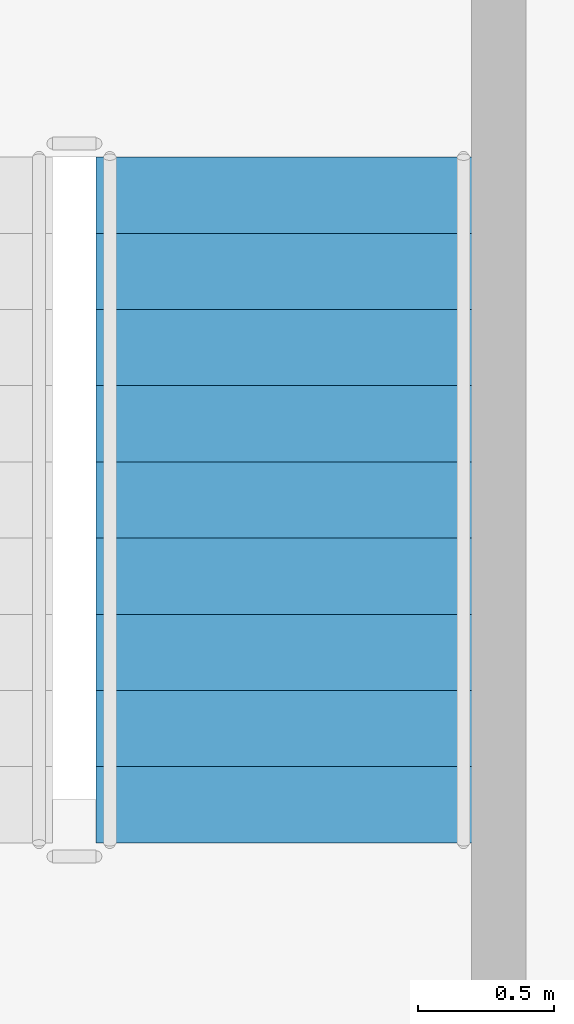
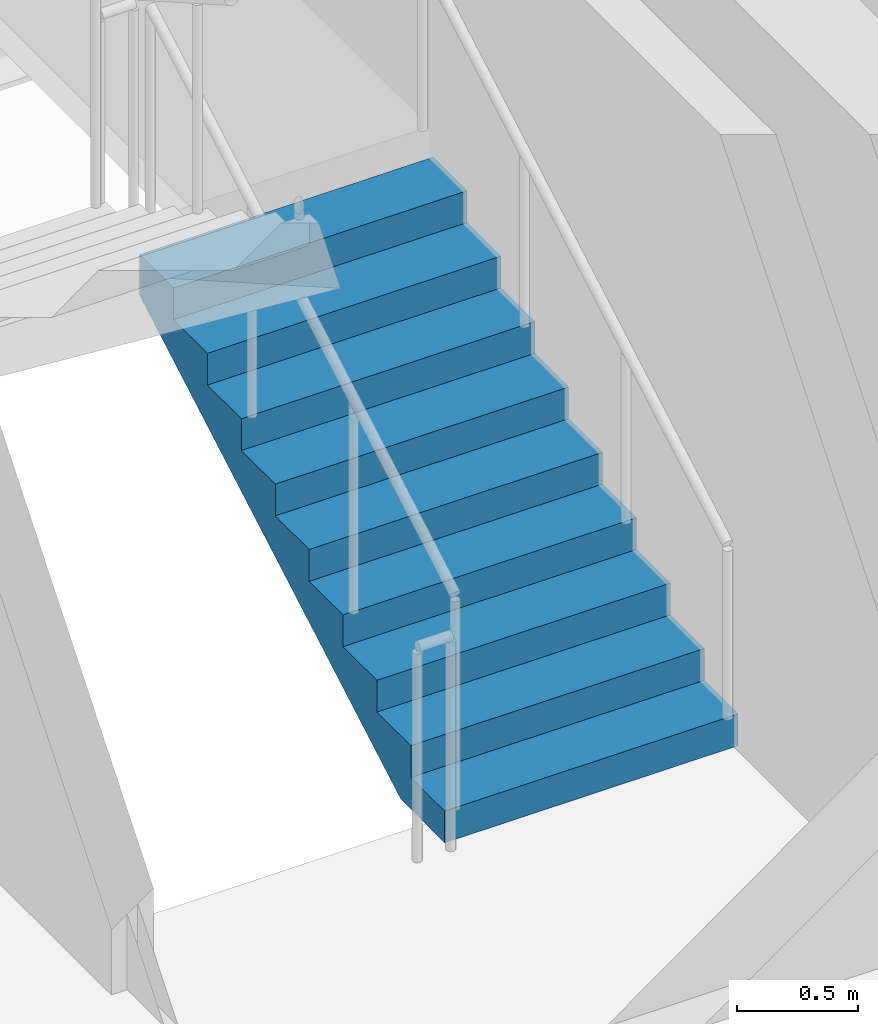
# One storey, part 4 of 6: 1 stair flight, 1 element without a shape of its own.
"""IFC4 building model written with IfcOpenShell, lengths in metres."""

from ifc_helpers import new_model, si_unit, direction, frame, origin, place, context, subcontext, project, spatial, polyline, outline, extrude, material, type_object, element, aggregate, save


model = new_model("IFC4")

# Units and contexts
model_context = context("Model", 3, precision=1e-05, world=origin(), true_north=direction((0.0, 1.0)))
body_context = subcontext(model_context, "Body", "Model", "MODEL_VIEW")
ifc_project = project(units=[si_unit("LENGTHUNIT", "METRE"), si_unit("AREAUNIT", "SQUARE_METRE"), si_unit("VOLUMEUNIT", "CUBIC_METRE"), si_unit("PLANEANGLEUNIT", "RADIAN"), si_unit("MASSUNIT", "GRAM", prefix="KILO")], contexts=[model_context])

# Site, building, storey
site_placement = place(None, origin())
site = spatial("IfcSite", under=ifc_project, at=site_placement, CompositionType="ELEMENT")
building_placement = place(site_placement, origin())
building = spatial("IfcBuilding", under=site, at=building_placement, Name="Kuzgunbayir Cultural Tower", CompositionType="ELEMENT")
storey_placement = place(building_placement, frame((0.0, 0.0, 218.39990234375)))
storey = spatial("IfcBuildingStorey", under=building, at=storey_placement, Name="L64", CompositionType="ELEMENT", Elevation=218.39990234375)

# Stair, stair flight
ifc_material = material(Name="Concrete C40/50", Category="concrete")
stair_type = type_object("IfcStairType", Name="STR-EXIT-CORE", PredefinedType="HALF_TURN_STAIR", material=ifc_material)
stair_placement = place(storey_placement, origin())
stair = element("IfcStair", 1, at=stair_placement, inside=storey, type_object=stair_type, Name="L64 ST-2", PredefinedType="HALF_TURN_STAIR")
stair_flight_type = type_object("IfcStairFlightType", Name="STRF-RC-140", PredefinedType="STRAIGHT", material=ifc_material)
stair_flight_placement = place(storey_placement, frame((25.4599609375, 35.60009765625, 0.0), z_axis=(0.0, 0.0, 1.0), x_axis=(0.0, 1.0, 0.0)))
stair_flight = element("IfcStairFlight", 2, at=stair_flight_placement, type_object=stair_flight_type, Name="ST-2 flight 1", NumberOfRisers=10, NumberOfTreads=9, PredefinedType="STRAIGHT", RiserHeight=0.16, TreadLength=0.28, context=body_context, shape_type="SweptSolid", body=[
    extrude(outline(polyline([(0.0, 0.0), (0.0, 0.159912109375), (0.280029296875, 0.159912109375), (0.280029296875, 0.320068359375), (0.56005859375, 0.320068359375), (0.56005859375, 0.47998046875), (0.840087890625, 0.47998046875), (0.840087890625, 0.639892578125), (1.1201171875, 0.639892578125), (1.1201171875, 0.800048828125), (1.39990234375, 0.800048828125), (1.39990234375, 0.9599609375), (1.679931640625, 0.9599609375), (1.679931640625, 1.1201171875), (1.9599609375, 1.1201171875), (1.9599609375, 1.280029296875), (2.239990234375, 1.280029296875), (2.239990234375, 1.43994140625), (2.52001953125, 1.43994140625), (2.52001953125, 1.60009765625), (2.52001953125, 1.232666015625), (0.362548828125, 0.0), (0.0, 0.0)])), frame((0.0, 0.699951171875, 0.0), z_axis=(0.0, -1.0, 0.0), x_axis=(1.0, 0.0, 0.0)), (0.0, 0.0, 1.0), 1.39990234375),
])
aggregate(stair, [stair_flight])

save(model, "model.ifc")
